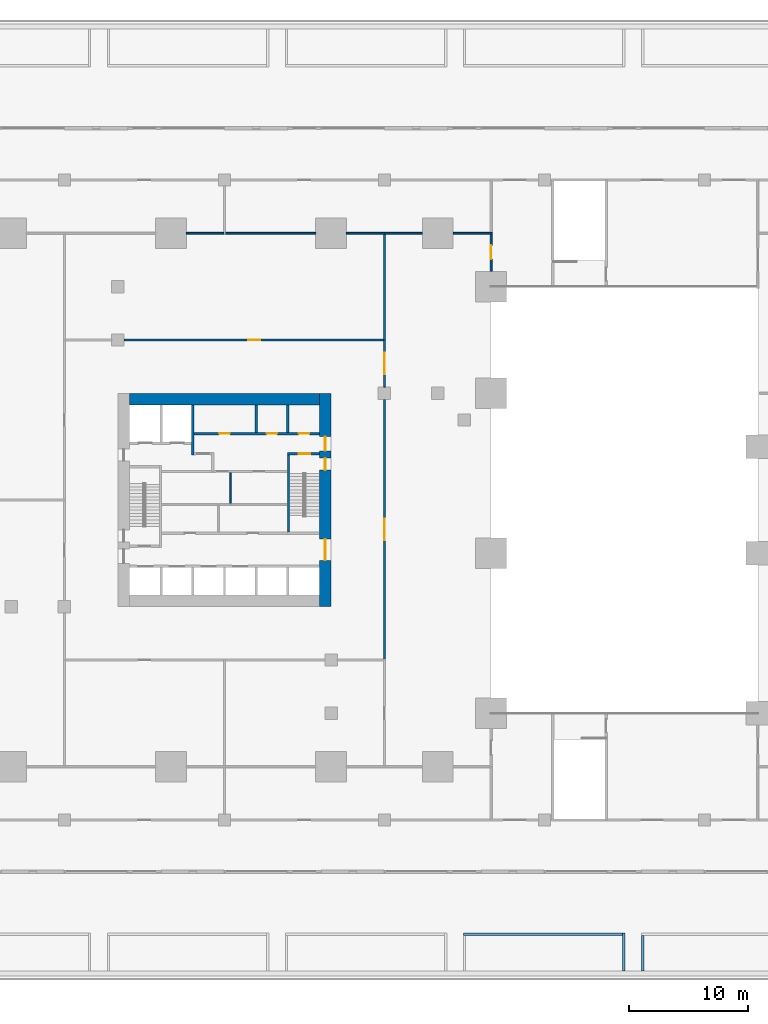
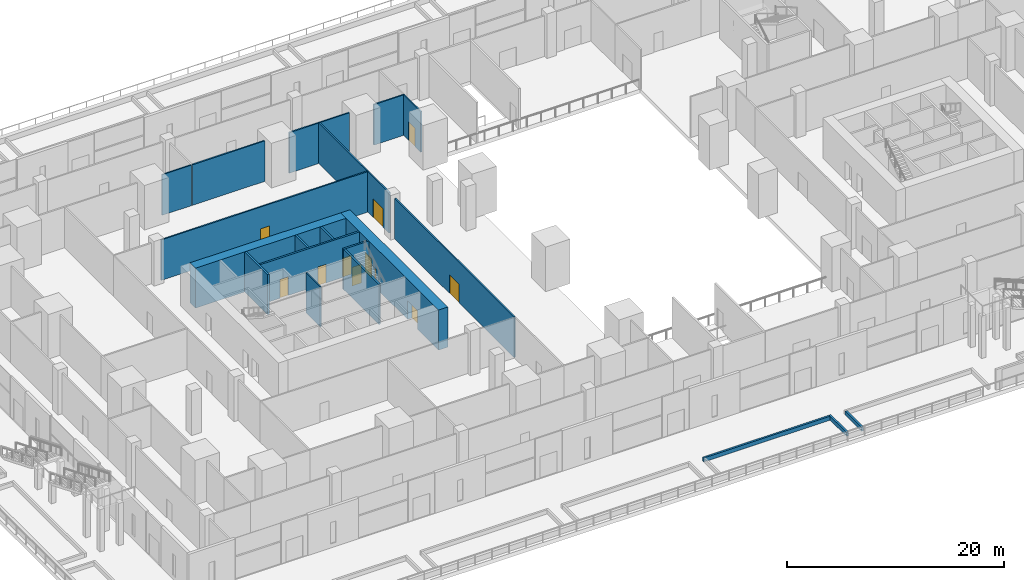
# One storey, part 33 of 49: 22 walls, 11 doors, 11 openings.
"""IFC4 building model written with IfcOpenShell, lengths in metres."""

import ifcopenshell
import ifcopenshell.guid

model = None  # the IFC model being written
_history = None  # IfcOwnerHistory: only IFC2X3 demands one
_inside = {}  # id of a spatial element -> (the spatial element, [elements in it])
_under = {}  # id of a project, library or spatial element -> (it, [spatial elements below it])
_declared = {}  # id of a project -> (the project, [libraries it declares])
_typed = {}  # id of a type object -> (the type object, [elements of that type])
_made_of = {}  # id of a material, layer set ... -> (it, [elements and type objects made of it])


def new_model(schema):
    """Start an empty IFC model of exactly this schema.

    Asked for "IFC4X3", IfcOpenShell would pick the latest addendum, in which some entities
    have other attributes; the version numbers below select the first issue.
    IFC2X3 requires an IfcOwnerHistory on every rooted entity: one is made here for all.
    """
    global model, _history
    if schema == "IFC4X3":
        model = ifcopenshell.file(schema_version=(4, 3, 0, 0))
    else:
        model = ifcopenshell.file(schema=schema)
    _inside.clear()
    _under.clear()
    _declared.clear()
    _typed.clear()
    _made_of.clear()
    _history = None
    if model.schema == "IFC2X3":
        org = make("IfcOrganization", Name="unknown")
        user = make(
            "IfcPersonAndOrganization",
            ThePerson=make("IfcPerson", FamilyName="unknown"),
            TheOrganization=org,
        )
        app = make(
            "IfcApplication",
            ApplicationDeveloper=org,
            Version="unknown",
            ApplicationFullName="unknown",
            ApplicationIdentifier="unknown",
        )
        _history = make(
            "IfcOwnerHistory",
            OwningUser=user,
            OwningApplication=app,
            ChangeAction="ADDED",
            CreationDate=0,
        )
    return model


def make(cls, **values):
    """One entity of the class cls with the attributes given. An attribute that is None is left unset."""
    return model.create_entity(
        cls, **{name: value for name, value in values.items() if value is not None}
    )


def rooted(cls, **values):
    """An entity with a GlobalId (a new one), such as an element, a storey or a relation."""
    return make(cls, GlobalId=ifcopenshell.guid.new(), OwnerHistory=_history, **values)


def si_unit(unit_type, name, prefix=None):
    """IfcSIUnit, for example si_unit("LENGTHUNIT", "METRE", prefix="MILLI")."""
    return make("IfcSIUnit", UnitType=unit_type, Prefix=prefix, Name=name)


def assignment(units):
    """IfcUnitAssignment: the units of a project."""
    return None if units is None else make("IfcUnitAssignment", Units=units)


def point(xyz):
    """IfcCartesianPoint."""
    return None if xyz is None else make("IfcCartesianPoint", Coordinates=xyz)


def direction(xyz):
    """IfcDirection."""
    return None if xyz is None else make("IfcDirection", DirectionRatios=xyz)


def frame(location, z_axis=None, x_axis=None):
    """IfcAxis2Placement3D, a coordinate frame: its origin and axes. An axis left out is left unset."""
    return make(
        "IfcAxis2Placement3D",
        Location=point(location),
        Axis=direction(z_axis),
        RefDirection=direction(x_axis),
    )


def frame_2d(location, x_axis=None):
    """IfcAxis2Placement2D, a coordinate frame in the plane: its origin and x axis."""
    return make(
        "IfcAxis2Placement2D", Location=point(location), RefDirection=direction(x_axis)
    )


def origin():
    """The frame at (0, 0, 0) with its axes left unset."""
    return frame((0.0, 0.0, 0.0))


def place(relative_to, where):
    """IfcLocalPlacement: puts the frame where relative to a parent placement (None: the world)."""
    return make(
        "IfcLocalPlacement", PlacementRelTo=relative_to, RelativePlacement=where
    )


def context(
    kind, dimensions, precision=None, world=None, true_north=None, identifier=None
):
    """IfcGeometricRepresentationContext, for example the 3D "Model" context."""
    return make(
        "IfcGeometricRepresentationContext",
        ContextIdentifier=identifier,
        ContextType=kind,
        CoordinateSpaceDimension=dimensions,
        Precision=precision,
        WorldCoordinateSystem=world,
        TrueNorth=true_north,
    )


def subcontext(parent, identifier, kind, view, scale=None):
    """IfcGeometricRepresentationSubContext, for example "Body" below "Model"."""
    return make(
        "IfcGeometricRepresentationSubContext",
        ContextIdentifier=identifier,
        ContextType=kind,
        ParentContext=parent,
        TargetScale=scale,
        TargetView=view,
    )


def project(units=None, contexts=None):
    """IfcProject with its units and contexts."""
    return rooted(
        "IfcProject",
        Name="project",
        RepresentationContexts=contexts,
        UnitsInContext=assignment(units),
    )


def spatial(cls, under=None, at=None, **own):
    """A site, building, storey or space (cls), placed at a placement, below another one or the project."""
    s = rooted(cls, ObjectPlacement=at, **own)
    if under is not None:
        _under.setdefault(under.id(), (under, []))[1].append(s)
    return s


def profile(cls, at=None, kind="AREA", **sizes):
    """A parametric profile (cls). Its sizes go by their IFC names, for example OverallWidth=200.0."""
    return make(cls, ProfileType=kind, Position=at, **sizes)


def rectangle(**sizes):
    """IfcRectangleProfileDef."""
    return profile("IfcRectangleProfileDef", **sizes)


def extrude(swept, where, along, depth):
    """IfcExtrudedAreaSolid: the profile swept, set in the frame where, extruded along a direction by depth."""
    return make(
        "IfcExtrudedAreaSolid",
        SweptArea=swept,
        Position=where,
        ExtrudedDirection=direction(along),
        Depth=depth,
    )


def shape(context_of_items, identifier, shape_type, items):
    """IfcShapeRepresentation: the items that make up one representation, for example the "Body"."""
    return make(
        "IfcShapeRepresentation",
        ContextOfItems=context_of_items,
        RepresentationIdentifier=identifier,
        RepresentationType=shape_type,
        Items=items,
    )


def material(Name=None, Category=None):
    """IfcMaterial."""
    return make("IfcMaterial", Name=Name, Category=Category)


def layer(
    of_material, thickness, ventilated=None, Name=None, Category=None, Priority=None
):
    """IfcMaterialLayer: one layer of a wall or slab, of a material (None: an air gap)."""
    return make(
        "IfcMaterialLayer",
        Material=of_material,
        LayerThickness=thickness,
        IsVentilated=ventilated,
        Name=Name,
        Category=Category,
        Priority=Priority,
    )


def layer_set(layers, Name=None):
    """IfcMaterialLayerSet."""
    return make("IfcMaterialLayerSet", MaterialLayers=layers, LayerSetName=Name)


def made_of(thing, what):
    """Note that an element or type object is made of a material, layer set ...; save() writes the relation."""
    if what is not None:
        _made_of.setdefault(what.id(), (what, []))[1].append(thing)
    return thing


def type_object(cls, material=None, **own):
    """A type object (cls), such as IfcWallType, which elements share."""
    return made_of(rooted(cls, **own), material)


def element(
    cls,
    number,
    at=None,
    inside=None,
    cuts=None,
    type_object=None,
    material=None,
    context=None,
    identifier="Body",
    shape_type=None,
    held_by="IfcProductDefinitionShape",
    body=None,
    shapes=None,
    **own,
):
    """One element of the class cls, such as IfcWall. Its Tag is "e" and its number.

    at: its placement. inside: the storey or other place that contains it. cuts: it is an
    opening in that element (IfcRelVoidsElement). A single representation is given by context,
    identifier, shape_type and body (its items); several are given by shapes. held_by: the class
    of the entity that holds the representations. save() writes the other relations.
    """
    e = rooted(cls, Tag="e%d" % number, ObjectPlacement=at, **own)
    if body is not None:
        shapes = [shape(context, identifier, shape_type, body)]
    if shapes is not None:
        e.Representation = make(held_by, Representations=shapes)
    if inside is not None:
        _inside.setdefault(inside.id(), (inside, []))[1].append(e)
    if cuts is not None:
        rooted(
            "IfcRelVoidsElement", RelatingBuildingElement=cuts, RelatedOpeningElement=e
        )
    if type_object is not None:
        _typed.setdefault(type_object.id(), (type_object, []))[1].append(e)
    return made_of(e, material)


def fill(opening, filler):
    """IfcRelFillsElement: the door or window that sits in an opening."""
    return rooted(
        "IfcRelFillsElement",
        RelatingOpeningElement=opening,
        RelatedBuildingElement=filler,
    )


def aggregate(whole, parts):
    """IfcRelAggregates: a whole, such as a stair, and the parts it consists of."""
    return rooted("IfcRelAggregates", RelatingObject=whole, RelatedObjects=parts)


def save(model, path):
    """Write the relations noted so far, then the file.

    IfcRelAggregates (storeys below a building ...), IfcRelContainedInSpatialStructure (elements
    in a storey), IfcRelDefinesByType, IfcRelAssociatesMaterial and IfcRelDeclares: one each for
    every whole, place, type object, material and project.
    """
    for whole, parts in _under.values():
        aggregate(whole, parts)
    for where, things in _inside.values():
        rooted(
            "IfcRelContainedInSpatialStructure",
            RelatedElements=things,
            RelatingStructure=where,
        )
    for kind, things in _typed.values():
        rooted("IfcRelDefinesByType", RelatedObjects=things, RelatingType=kind)
    for what, things in _made_of.values():
        rooted("IfcRelAssociatesMaterial", RelatedObjects=things, RelatingMaterial=what)
    for by, libraries in _declared.values():
        rooted("IfcRelDeclares", RelatingContext=by, RelatedDefinitions=libraries)
    model.write(path)


model = new_model("IFC4")

# Units and contexts
model_context = context("Model", 3, precision=1e-05, world=origin(), true_north=direction((0.0, 1.0)))
body_context = subcontext(model_context, "Body", "Model", "MODEL_VIEW")
ifc_project = project(units=[si_unit("LENGTHUNIT", "METRE"), si_unit("AREAUNIT", "SQUARE_METRE"), si_unit("VOLUMEUNIT", "CUBIC_METRE"), si_unit("PLANEANGLEUNIT", "RADIAN"), si_unit("MASSUNIT", "GRAM", prefix="KILO")], contexts=[model_context])

# Site, building, storey
site_placement = place(None, origin())
site = spatial("IfcSite", under=ifc_project, at=site_placement, CompositionType="ELEMENT")
building_placement = place(site_placement, origin())
building = spatial("IfcBuilding", under=site, at=building_placement, Name="Altepetl Exchange Towers", CompositionType="ELEMENT")
storey_placement = place(building_placement, frame((0.0, 0.0, 11.5)))
storey = spatial("IfcBuildingStorey", under=building, at=storey_placement, Name="L02 Exchange podium", CompositionType="ELEMENT", Elevation=11.5)

# Wall, openings, doors
ifc_material_1 = material(Name="Concrete C70/85", Category="concrete")
ifc_layer_1 = layer(ifc_material_1, 1.0)
ifc_layer_set_1 = layer_set([ifc_layer_1], Name="Concrete C70/85")
wall_type_1 = type_object("IfcWallType", Name="Core wall 1000 reinforced concrete", PredefinedType="SHEAR", material=ifc_layer_set_1)
wall_1_placement = place(storey_placement, frame((58.0, 40.5, 0.0), z_axis=(0.0, 0.0, 1.0), x_axis=(0.0, 1.0, 0.0)))
wall_1 = element("IfcWall", 1, at=wall_1_placement, inside=storey, type_object=wall_type_1, Name="wall:A:L02:K-coreE", PredefinedType="SHEAR", context=body_context, shape_type="SweptSolid", body=[
    extrude(rectangle(XDim=18.0, YDim=1.0, at=frame_2d((9.0, 0.0))), origin(), (0.0, 0.0, 1.0), 4.5),
])
opening_1_placement = place(wall_1_placement, frame((13.14990234375, 0.0, 0.0)))
opening_1 = element("IfcOpeningElement", 2, at=opening_1_placement, cuts=wall_1, Name="Opening L02.A60", PredefinedType="OPENING", context=body_context, shape_type="SweptSolid", body=[
    extrude(rectangle(XDim=1.199951171875, YDim=2.10009765625, at=frame_2d((0.60009765625, 1.050048828125))), frame((0.0, 0.510009765625, 0.0), z_axis=(0.0, -1.0, 0.0), x_axis=(1.0, 0.0, 0.0)), (0.0, 0.0, 1.0), 1.02001953125),
])
opening_2_placement = place(wall_1_placement, frame((3.89990234375, 0.0, 0.0)))
opening_2 = element("IfcOpeningElement", 3, at=opening_2_placement, cuts=wall_1, Name="Opening L02.A61", PredefinedType="OPENING", context=body_context, shape_type="SweptSolid", body=[
    extrude(rectangle(XDim=1.800048828125, YDim=2.10009765625, at=frame_2d((0.89990234375, 1.050048828125))), frame((0.0, 0.510009765625, 0.0), z_axis=(0.0, -1.0, 0.0), x_axis=(1.0, 0.0, 0.0)), (0.0, 0.0, 1.0), 1.02001953125),
])
opening_3_placement = place(wall_1_placement, frame((11.52490234375, 0.0, 0.0)))
opening_3 = element("IfcOpeningElement", 4, at=opening_3_placement, cuts=wall_1, Name="Opening L02.A66", PredefinedType="OPENING", context=body_context, shape_type="SweptSolid", body=[
    extrude(rectangle(XDim=1.0, YDim=2.10009765625, at=frame_2d((0.5, 1.050048828125))), frame((0.0, 0.510009765625, 0.0), z_axis=(0.0, -1.0, 0.0), x_axis=(1.0, 0.0, 0.0)), (0.0, 0.0, 1.0), 1.02001953125),
])
ifc_material_2 = material(Name="Steel and timber fire door", Category="steel")
door_type_1 = type_object("IfcDoorType", Name="Fire door 1000 x 2100 stair and lobby", OperationType="SINGLE_SWING_LEFT", PredefinedType="DOOR", material=ifc_material_2)
door_1_placement = place(opening_3_placement, origin())
door_1 = element("IfcDoor", 5, at=door_1_placement, inside=storey, type_object=door_type_1, Name="door:A:L02:K-dS2x", OperationType="SINGLE_SWING_RIGHT", OverallHeight=2.10009765625, OverallWidth=1.0, PredefinedType="DOOR", context=body_context, shape_type="SweptSolid", body=[
    extrude(rectangle(XDim=1.0, YDim=2.10009765625, at=frame_2d((0.5, 1.050048828125))), frame((0.0, 0.02490234375, 0.0), z_axis=(0.0, -1.0, 0.0), x_axis=(1.0, 0.0, 0.0)), (0.0, 0.0, 1.0), 0.050048828125),
])
fill(opening_3, door_1)
door_type_2 = type_object("IfcDoorType", Name="Fire door 1200 x 2100 lobby entry", OperationType="SINGLE_SWING_LEFT", PredefinedType="DOOR", material=ifc_material_2)
door_2_placement = place(opening_1_placement, origin())
door_2 = element("IfcDoor", 6, at=door_2_placement, inside=storey, type_object=door_type_2, Name="door:A:L02:K-dLNE", OperationType="SINGLE_SWING_RIGHT", OverallHeight=2.10009765625, OverallWidth=1.199951171875, PredefinedType="DOOR", context=body_context, shape_type="SweptSolid", body=[
    extrude(rectangle(XDim=1.199951171875, YDim=2.10009765625, at=frame_2d((0.60009765625, 1.050048828125))), frame((0.0, 0.02490234375, 0.0), z_axis=(0.0, -1.0, 0.0), x_axis=(1.0, 0.0, 0.0)), (0.0, 0.0, 1.0), 0.050048828125),
])
fill(opening_1, door_2)
door_type_3 = type_object("IfcDoorType", Name="Fire door 1800 x 2100 lobby entry", OperationType="DOUBLE_DOOR_SINGLE_SWING", PredefinedType="DOOR", material=ifc_material_2)
door_3_placement = place(opening_2_placement, origin())
door_3 = element("IfcDoor", 7, at=door_3_placement, inside=storey, type_object=door_type_3, Name="door:A:L02:K-dLSE", OperationType="DOUBLE_DOOR_SINGLE_SWING", OverallHeight=2.10009765625, OverallWidth=1.800048828125, PredefinedType="DOOR", context=body_context, shape_type="SweptSolid", body=[
    extrude(rectangle(XDim=1.800048828125, YDim=2.10009765625, at=frame_2d((0.89990234375, 1.050048828125))), frame((0.0, 0.02490234375, 0.0), z_axis=(0.0, -1.0, 0.0), x_axis=(1.0, 0.0, 0.0)), (0.0, 0.0, 1.0), 0.050048828125),
])
fill(opening_2, door_3)

# Walls
wall_2_placement = place(storey_placement, frame((41.5, 58.0, 0.0)))
element("IfcWall", 8, at=wall_2_placement, inside=storey, type_object=wall_type_1, Name="wall:A:L02:K-coreN", PredefinedType="SHEAR", context=body_context, shape_type="SweptSolid", body=[
    extrude(rectangle(XDim=16.0, YDim=1.0, at=frame_2d((8.0, 0.0))), origin(), (0.0, 0.0, 1.0), 4.5),
])
ifc_material_3 = material(Name="Gypsum board on steel studs", Category="steel")
ifc_layer_2 = layer(ifc_material_3, 0.125)
ifc_layer_set_2 = layer_set([ifc_layer_2], Name="Gypsum board on steel studs")
wall_type_2 = type_object("IfcWallType", Name="Partition 125 gypsum board on steel studs", PredefinedType="PARTITIONING", material=ifc_layer_set_2)
wall_3_placement = place(storey_placement, frame((50.0, 49.16259765625, 0.0), z_axis=(0.0, 0.0, 1.0), x_axis=(0.0, 1.0, 0.0)))
element("IfcWall", 9, at=wall_3_placement, inside=storey, type_object=wall_type_2, Name="wall:A:L02:K-zp5", PredefinedType="PARTITIONING", context=body_context, shape_type="SweptSolid", body=[
    extrude(rectangle(XDim=2.637451171875, YDim=0.125, at=frame_2d((1.31884765625, 0.0))), origin(), (0.0, 0.0, 1.0), 4.5),
])
ifc_material_4 = material(Name="Reinforced concrete C35/45", Category="concrete")
ifc_layer_3 = layer(ifc_material_4, 0.199951171875)
ifc_layer_set_3 = layer_set([ifc_layer_3], Name="Reinforced concrete C35/45")
wall_type_3 = type_object("IfcWallType", Name="Planting bed curb 200", PredefinedType="SOLIDWALL", material=ifc_layer_set_3)
wall_4_placement = place(storey_placement, frame((83.17919921875, 9.77490234375, 0.0), z_axis=(0.0, 0.0, 1.0), x_axis=(0.0, 1.0, 0.0)))
element("IfcWall", 10, at=wall_4_placement, inside=storey, type_object=wall_type_3, Name="wall:P:L02:CB08e", PredefinedType="SOLIDWALL", context=body_context, shape_type="SweptSolid", body=[
    extrude(rectangle(XDim=3.2001953125, YDim=0.199951171875, at=frame_2d((1.60009765625, 0.0))), origin(), (0.0, 0.0, 1.0), 0.449951171875),
])
wall_5_placement = place(storey_placement, frame((69.658203125, 12.875, 0.0)))
element("IfcWall", 11, at=wall_5_placement, inside=storey, type_object=wall_type_3, Name="wall:P:L02:CB08n", PredefinedType="SOLIDWALL", context=body_context, shape_type="SweptSolid", body=[
    extrude(rectangle(XDim=13.4208984375, YDim=0.199951171875, at=frame_2d((6.71044921875, 0.0))), origin(), (0.0, 0.0, 1.0), 0.449951171875),
])
wall_6_placement = place(storey_placement, frame((84.779296875, 9.77490234375, 0.0), z_axis=(0.0, 0.0, 1.0), x_axis=(0.0, 1.0, 0.0)))
element("IfcWall", 12, at=wall_6_placement, inside=storey, type_object=wall_type_3, Name="wall:P:L02:CB09w", PredefinedType="SOLIDWALL", context=body_context, shape_type="SweptSolid", body=[
    extrude(rectangle(XDim=3.0, YDim=0.199951171875, at=frame_2d((1.5, 0.0))), origin(), (0.0, 0.0, 1.0), 0.449951171875),
])
ifc_layer_4 = layer(ifc_material_3, 0.14990234375)
ifc_layer_set_4 = layer_set([ifc_layer_4], Name="Gypsum board on steel studs")
wall_type_4 = type_object("IfcWallType", Name="Podium partition 150", PredefinedType="PARTITIONING", material=ifc_layer_set_4)
wall_7_placement = place(storey_placement, frame((46.294921875, 72.0, 0.0)))
element("IfcWall", 13, at=wall_7_placement, inside=storey, type_object=wall_type_4, Name="wall:P:L02:P072", PredefinedType="PARTITIONING", context=body_context, shape_type="SweptSolid", body=[
    extrude(rectangle(XDim=3.130126953125, YDim=0.14990234375, at=frame_2d((1.56494140625, 0.0))), origin(), (0.0, 0.0, 1.0), 4.550048828125),
])
for number, where, name in (
    (14, (62.925048828125, 72.0, 0.0), "wall:P:L02:P075"),
    (15, (68.794921875, 72.0, 0.0), "wall:P:L02:P076"),
):
    element("IfcWall", number, at=place(storey_placement, frame(where)), inside=storey, type_object=wall_type_4, Name=name, PredefinedType="PARTITIONING", context=body_context, shape_type="SweptSolid", body=[
        extrude(rectangle(XDim=3.280029296875, YDim=0.14990234375, at=frame_2d((1.64013671875, 0.0))), origin(), (0.0, 0.0, 1.0), 4.550048828125),
    ])
wall_8_placement = place(storey_placement, frame((49.5, 72.0, 0.0)))
element("IfcWall", 16, at=wall_8_placement, inside=storey, type_object=wall_type_4, Name="wall:P:L02:P077", PredefinedType="PARTITIONING", context=body_context, shape_type="SweptSolid", body=[
    extrude(rectangle(XDim=7.705078125, YDim=0.14990234375, at=frame_2d((3.8525390625, 0.0))), origin(), (0.0, 0.0, 1.0), 4.550048828125),
])
wall_9_placement = place(storey_placement, frame((59.794921875, 72.0, 0.0)))
element("IfcWall", 17, at=wall_9_placement, inside=storey, type_object=wall_type_4, Name="wall:P:L02:P078", PredefinedType="PARTITIONING", context=body_context, shape_type="SweptSolid", body=[
    extrude(rectangle(XDim=3.205078125, YDim=0.14990234375, at=frame_2d((1.6025390625, 0.0))), origin(), (0.0, 0.0, 1.0), 4.550048828125),
])
wall_10_placement = place(storey_placement, frame((63.0, 62.925048828125, 0.0), z_axis=(0.0, 0.0, 1.0), x_axis=(0.0, 1.0, 0.0)))
element("IfcWall", 18, at=wall_10_placement, inside=storey, type_object=wall_type_4, Name="wall:P:L02:P081", PredefinedType="PARTITIONING", context=body_context, shape_type="SweptSolid", body=[
    extrude(rectangle(XDim=9.0, YDim=0.14990234375, at=frame_2d((4.5, 0.0))), origin(), (0.0, 0.0, 1.0), 4.550048828125),
])

# Wall, opening, door
wall_11_placement = place(storey_placement, frame((63.0, 36.0, 0.0), z_axis=(0.0, 0.0, 1.0), x_axis=(0.0, 1.0, 0.0)))
wall_11 = element("IfcWall", 19, at=wall_11_placement, inside=storey, type_object=wall_type_4, Name="wall:P:L02:P082", PredefinedType="PARTITIONING", context=body_context, shape_type="SweptSolid", body=[
    extrude(rectangle(XDim=21.97998046875, YDim=0.14990234375, at=frame_2d((10.989990234375, 0.0))), origin(), (0.0, 0.0, 1.0), 4.550048828125),
])
opening_4_placement = place(wall_11_placement, frame((10.10009765625, 0.0, 0.0)))
opening_4 = element("IfcOpeningElement", 20, at=opening_4_placement, cuts=wall_11, Name="Opening L02.P040", PredefinedType="OPENING", context=body_context, shape_type="SweptSolid", body=[
    extrude(rectangle(XDim=1.800048828125, YDim=2.10009765625, at=frame_2d((0.89990234375, 1.050048828125))), frame((0.0, 0.0849609375, 0.0), z_axis=(0.0, -1.0, 0.0), x_axis=(1.0, 0.0, 0.0)), (0.0, 0.0, 1.0), 0.169921875),
])
ifc_material_5 = material(Name="Glazed aluminium and steel", Category="steel")
door_type_4 = type_object("IfcDoorType", Name="Podium fire door 1800 x 2100 double leaf", OperationType="DOUBLE_DOOR_SINGLE_SWING", PredefinedType="DOOR", material=ifc_material_5)
door_4_placement = place(opening_4_placement, frame((1.800048828125, 0.0, 0.0), x_axis=(-1.0, 0.0, 0.0)))
door_4 = element("IfcDoor", 21, at=door_4_placement, inside=storey, type_object=door_type_4, Name="door:P:L02:040", OperationType="DOUBLE_DOOR_SINGLE_SWING", OverallHeight=2.10009765625, OverallWidth=1.800048828125, PredefinedType="DOOR", context=body_context, shape_type="SweptSolid", body=[
    extrude(rectangle(XDim=1.800048828125, YDim=2.10009765625, at=frame_2d((0.89990234375, 1.050048828125))), frame((0.0, 0.02490234375, 0.0), z_axis=(0.0, -1.0, 0.0), x_axis=(1.0, 0.0, 0.0)), (0.0, 0.0, 1.0), 0.050048828125),
])
fill(opening_4, door_4)

wall_12_placement = place(storey_placement, frame((63.0, 59.02001953125, 0.0), z_axis=(0.0, 0.0, 1.0), x_axis=(0.0, 1.0, 0.0)))
wall_12 = element("IfcWall", 22, at=wall_12_placement, inside=storey, type_object=wall_type_4, Name="wall:P:L02:P083", PredefinedType="PARTITIONING", context=body_context, shape_type="SweptSolid", body=[
    extrude(rectangle(XDim=3.97998046875, YDim=0.14990234375, at=frame_2d((1.989990234375, 0.0))), origin(), (0.0, 0.0, 1.0), 4.550048828125),
])
opening_5_placement = place(wall_12_placement, frame((1.10009765625, 0.0, 0.0)))
opening_5 = element("IfcOpeningElement", 23, at=opening_5_placement, cuts=wall_12, Name="Opening L02.P041", PredefinedType="OPENING", context=body_context, shape_type="SweptSolid", body=[
    extrude(rectangle(XDim=1.800048828125, YDim=2.10009765625, at=frame_2d((0.89990234375, 1.050048828125))), frame((0.0, 0.0849609375, 0.0), z_axis=(0.0, -1.0, 0.0), x_axis=(1.0, 0.0, 0.0)), (0.0, 0.0, 1.0), 0.169921875),
])
door_5_placement = place(opening_5_placement, frame((1.800048828125, 0.0, 0.0), x_axis=(-1.0, 0.0, 0.0)))
door_5 = element("IfcDoor", 24, at=door_5_placement, inside=storey, type_object=door_type_4, Name="door:P:L02:041", OperationType="DOUBLE_DOOR_SINGLE_SWING", OverallHeight=2.10009765625, OverallWidth=1.800048828125, PredefinedType="DOOR", context=body_context, shape_type="SweptSolid", body=[
    extrude(rectangle(XDim=1.800048828125, YDim=2.10009765625, at=frame_2d((0.89990234375, 1.050048828125))), frame((0.0, 0.02490234375, 0.0), z_axis=(0.0, -1.0, 0.0), x_axis=(1.0, 0.0, 0.0)), (0.0, 0.0, 1.0), 0.050048828125),
])
fill(opening_5, door_5)

wall_13_placement = place(storey_placement, frame((72.0, 68.794921875, 0.0), z_axis=(0.0, 0.0, 1.0), x_axis=(0.0, 1.0, 0.0)))
wall_13 = element("IfcWall", 25, at=wall_13_placement, inside=storey, type_object=wall_type_4, Name="wall:P:L02:P085", PredefinedType="PARTITIONING", context=body_context, shape_type="SweptSolid", body=[
    extrude(rectangle(XDim=3.130126953125, YDim=0.14990234375, at=frame_2d((1.56494140625, 0.0))), origin(), (0.0, 0.0, 1.0), 4.550048828125),
])
opening_6_placement = place(wall_13_placement, frame((1.0, 0.0, 0.0)))
opening_6 = element("IfcOpeningElement", 26, at=opening_6_placement, cuts=wall_13, Name="Opening L02.P043", PredefinedType="OPENING", context=body_context, shape_type="SweptSolid", body=[
    extrude(rectangle(XDim=1.199951171875, YDim=2.10009765625, at=frame_2d((0.60009765625, 1.050048828125))), frame((0.0, 0.0849609375, 0.0), z_axis=(0.0, -1.0, 0.0), x_axis=(1.0, 0.0, 0.0)), (0.0, 0.0, 1.0), 0.169921875),
])
ifc_material_6 = material(Name="Steel fire door", Category="steel")
door_type_5 = type_object("IfcDoorType", Name="Podium fire door 1200 x 2100 double leaf", OperationType="DOUBLE_DOOR_SINGLE_SWING", PredefinedType="DOOR", material=ifc_material_6)
door_6_placement = place(opening_6_placement, frame((1.199951171875, 0.0, 0.0), x_axis=(-1.0, 0.0, 0.0)))
door_6 = element("IfcDoor", 27, at=door_6_placement, inside=storey, type_object=door_type_5, Name="door:P:L02:043", OperationType="DOUBLE_DOOR_SINGLE_SWING", OverallHeight=2.10009765625, OverallWidth=1.199951171875, PredefinedType="DOOR", context=body_context, shape_type="SweptSolid", body=[
    extrude(rectangle(XDim=1.199951171875, YDim=2.10009765625, at=frame_2d((0.60009765625, 1.050048828125))), frame((0.0, 0.02490234375, 0.0), z_axis=(0.0, -1.0, 0.0), x_axis=(1.0, 0.0, 0.0)), (0.0, 0.0, 1.0), 0.050048828125),
])
fill(opening_6, door_6)

wall_14_placement = place(storey_placement, frame((41.02001953125, 63.0, 0.0)))
wall_14 = element("IfcWall", 28, at=wall_14_placement, inside=storey, type_object=wall_type_4, Name="wall:P:L02:P093", PredefinedType="PARTITIONING", context=body_context, shape_type="SweptSolid", body=[
    extrude(rectangle(XDim=21.905029296875, YDim=0.14990234375, at=frame_2d((10.95263671875, 0.0))), origin(), (0.0, 0.0, 1.0), 4.550048828125),
])
opening_7_placement = place(wall_14_placement, frame((10.5, 0.0, 0.0)))
opening_7 = element("IfcOpeningElement", 29, at=opening_7_placement, cuts=wall_14, Name="Opening L02.P010", PredefinedType="OPENING", context=body_context, shape_type="SweptSolid", body=[
    extrude(rectangle(XDim=1.0, YDim=2.10009765625, at=frame_2d((0.5, 1.050048828125))), frame((0.0, 0.0849609375, 0.0), z_axis=(0.0, -1.0, 0.0), x_axis=(1.0, 0.0, 0.0)), (0.0, 0.0, 1.0), 0.169921875),
])
door_type_6 = type_object("IfcDoorType", Name="Podium fire door 1000 x 2100 single leaf", OperationType="SINGLE_SWING_LEFT", PredefinedType="DOOR", material=ifc_material_2)
door_7_placement = place(opening_7_placement, origin())
door_7 = element("IfcDoor", 30, at=door_7_placement, inside=storey, type_object=door_type_6, Name="door:P:L02:010", OperationType="SINGLE_SWING_RIGHT", OverallHeight=2.10009765625, OverallWidth=1.0, PredefinedType="DOOR", context=body_context, shape_type="SweptSolid", body=[
    extrude(rectangle(XDim=1.0, YDim=2.10009765625, at=frame_2d((0.5, 1.050048828125))), frame((0.0, 0.02490234375, 0.0), z_axis=(0.0, -1.0, 0.0), x_axis=(1.0, 0.0, 0.0)), (0.0, 0.0, 1.0), 0.050048828125),
])
fill(opening_7, door_7)

# Walls
ifc_material_7 = material(Name="Concrete C40/50", Category="concrete")
ifc_layer_5 = layer(ifc_material_7, 0.199951171875)
ifc_layer_set_5 = layer_set([ifc_layer_5], Name="Concrete C40/50")
wall_type_5 = type_object("IfcWallType", Name="Shaft wall 200 reinforced concrete", PredefinedType="SHEAR", material=ifc_layer_set_5)
wall_15_placement = place(storey_placement, frame((46.833251953125, 57.5, 0.0), z_axis=(0.0, 0.0, 1.0), x_axis=(0.0, -1.0, 0.0)))
element("IfcWall", 31, at=wall_15_placement, inside=storey, type_object=wall_type_5, Name="wall:A:L02:K-divN2", PredefinedType="SHEAR", context=body_context, shape_type="SweptSolid", body=[
    extrude(rectangle(XDim=4.199951171875, YDim=0.199951171875, at=frame_2d((2.10009765625, 0.0))), origin(), (0.0, 0.0, 1.0), 4.5),
])
for number, where, z_axis, x_axis, name in (
    (32, (52.166748046875, 57.5, 0.0), (0.0, 0.0, 1.0), (0.0, -1.0, 0.0), "wall:A:L02:K-divN4"),
    (33, (54.833251953125, 57.5, 0.0), (0.0, 0.0, 1.0), (0.0, -1.0, 0.0), "wall:A:L02:K-divN5"),
):
    element("IfcWall", number, at=place(storey_placement, frame(where, z_axis=z_axis, x_axis=x_axis)), inside=storey, type_object=wall_type_5, Name=name, PredefinedType="SHEAR", context=body_context, shape_type="SweptSolid", body=[
        extrude(rectangle(XDim=2.300048828125, YDim=0.199951171875, at=frame_2d((1.14990234375, 0.0))), origin(), (0.0, 0.0, 1.0), 4.5),
    ])

# Wall, openings, doors
wall_16_placement = place(storey_placement, frame((46.933349609375, 55.10009765625, 0.0)))
wall_16 = element("IfcWall", 34, at=wall_16_placement, inside=storey, type_object=wall_type_5, Name="wall:A:L02:K-frontNb", PredefinedType="SHEAR", context=body_context, shape_type="SweptSolid", body=[
    extrude(rectangle(XDim=10.566650390625, YDim=0.199951171875, at=frame_2d((5.283203125, 0.0))), origin(), (0.0, 0.0, 1.0), 4.5),
])
opening_8_placement = place(wall_16_placement, frame((8.83349609375, 0.0, 0.0)))
opening_8 = element("IfcOpeningElement", 35, at=opening_8_placement, cuts=wall_16, Name="Opening L02.A69", PredefinedType="OPENING", context=body_context, shape_type="SweptSolid", body=[
    extrude(rectangle(XDim=0.89990234375, YDim=2.10009765625, at=frame_2d((0.449951171875, 1.050048828125))), frame((0.0, 0.10986328125, 0.0), z_axis=(0.0, -1.0, 0.0), x_axis=(1.0, 0.0, 0.0)), (0.0, 0.0, 1.0), 0.219970703125),
])
opening_9_placement = place(wall_16_placement, frame((2.11669921875, 0.0, 0.0)))
opening_9 = element("IfcOpeningElement", 36, at=opening_9_placement, cuts=wall_16, Name="Opening L02.A70", PredefinedType="OPENING", context=body_context, shape_type="SweptSolid", body=[
    extrude(rectangle(XDim=0.89990234375, YDim=2.10009765625, at=frame_2d((0.449951171875, 1.050048828125))), frame((0.0, 0.10986328125, 0.0), z_axis=(0.0, -1.0, 0.0), x_axis=(1.0, 0.0, 0.0)), (0.0, 0.0, 1.0), 0.219970703125),
])
opening_10_placement = place(wall_16_placement, frame((6.11669921875, 0.0, 0.0)))
opening_10 = element("IfcOpeningElement", 37, at=opening_10_placement, cuts=wall_16, Name="Opening L02.A71", PredefinedType="OPENING", context=body_context, shape_type="SweptSolid", body=[
    extrude(rectangle(XDim=0.89990234375, YDim=2.10009765625, at=frame_2d((0.449951171875, 1.050048828125))), frame((0.0, 0.10986328125, 0.0), z_axis=(0.0, -1.0, 0.0), x_axis=(1.0, 0.0, 0.0)), (0.0, 0.0, 1.0), 0.219970703125),
])
door_type_7 = type_object("IfcDoorType", Name="Fire door 900 x 2100 service room", OperationType="SINGLE_SWING_LEFT", PredefinedType="DOOR", material=ifc_material_2)
door_8_placement = place(opening_8_placement, origin())
door_8 = element("IfcDoor", 38, at=door_8_placement, inside=storey, type_object=door_type_7, Name="door:A:L02:K-driser", OperationType="SINGLE_SWING_RIGHT", OverallHeight=2.10009765625, OverallWidth=0.89990234375, PredefinedType="DOOR", context=body_context, shape_type="SweptSolid", body=[
    extrude(rectangle(XDim=0.89990234375, YDim=2.10009765625, at=frame_2d((0.449951171875, 1.050048828125))), frame((0.0, 0.02490234375, 0.0), z_axis=(0.0, -1.0, 0.0), x_axis=(1.0, 0.0, 0.0)), (0.0, 0.0, 1.0), 0.050048828125),
])
fill(opening_8, door_8)
door_9_placement = place(opening_9_placement, origin())
door_9 = element("IfcDoor", 39, at=door_9_placement, inside=storey, type_object=door_type_7, Name="door:A:L02:K-dslotN2", OperationType="SINGLE_SWING_RIGHT", OverallHeight=2.10009765625, OverallWidth=0.89990234375, PredefinedType="DOOR", context=body_context, shape_type="SweptSolid", body=[
    extrude(rectangle(XDim=0.89990234375, YDim=2.10009765625, at=frame_2d((0.449951171875, 1.050048828125))), frame((0.0, 0.02490234375, 0.0), z_axis=(0.0, -1.0, 0.0), x_axis=(1.0, 0.0, 0.0)), (0.0, 0.0, 1.0), 0.050048828125),
])
fill(opening_9, door_9)
door_10_placement = place(opening_10_placement, origin())
door_10 = element("IfcDoor", 40, at=door_10_placement, inside=storey, type_object=door_type_7, Name="door:A:L02:K-dslotN4", OperationType="SINGLE_SWING_RIGHT", OverallHeight=2.10009765625, OverallWidth=0.89990234375, PredefinedType="DOOR", context=body_context, shape_type="SweptSolid", body=[
    extrude(rectangle(XDim=0.89990234375, YDim=2.10009765625, at=frame_2d((0.449951171875, 1.050048828125))), frame((0.0, 0.02490234375, 0.0), z_axis=(0.0, -1.0, 0.0), x_axis=(1.0, 0.0, 0.0)), (0.0, 0.0, 1.0), 0.050048828125),
])
fill(opening_10, door_10)

# Wall, opening, door
ifc_layer_6 = layer(ifc_material_7, 0.199951171875)
ifc_layer_set_6 = layer_set([ifc_layer_6], Name="Concrete C40/50")
wall_type_6 = type_object("IfcWallType", Name="Stair wall 200 reinforced concrete", PredefinedType="SHEAR", material=ifc_layer_set_6)
wall_17_placement = place(storey_placement, frame((54.800048828125, 53.39990234375, 0.0)))
wall_17 = element("IfcWall", 41, at=wall_17_placement, inside=storey, type_object=wall_type_6, Name="wall:A:L02:K-stS2N", PredefinedType="SHEAR", context=body_context, shape_type="SweptSolid", body=[
    extrude(rectangle(XDim=2.699951171875, YDim=0.199951171875, at=frame_2d((1.35009765625, 0.0))), origin(), (0.0, 0.0, 1.0), 4.5),
])
opening_11_placement = place(wall_17_placement, frame((0.949951171875, 0.0, 0.0)))
opening_11 = element("IfcOpeningElement", 42, at=opening_11_placement, cuts=wall_17, Name="Opening L02.A65", PredefinedType="OPENING", context=body_context, shape_type="SweptSolid", body=[
    extrude(rectangle(XDim=1.0, YDim=2.10009765625, at=frame_2d((0.5, 1.050048828125))), frame((0.0, 0.10986328125, 0.0), z_axis=(0.0, -1.0, 0.0), x_axis=(1.0, 0.0, 0.0)), (0.0, 0.0, 1.0), 0.219970703125),
])
door_11_placement = place(opening_11_placement, frame((1.0, 0.0, 0.0), x_axis=(-1.0, 0.0, 0.0)))
door_11 = element("IfcDoor", 43, at=door_11_placement, inside=storey, type_object=door_type_1, Name="door:A:L02:K-dS2in", OperationType="SINGLE_SWING_LEFT", OverallHeight=2.10009765625, OverallWidth=1.0, PredefinedType="DOOR", context=body_context, shape_type="SweptSolid", body=[
    extrude(rectangle(XDim=1.0, YDim=2.10009765625, at=frame_2d((0.5, 1.050048828125))), frame((0.0, 0.02490234375, 0.0), z_axis=(0.0, -1.0, 0.0), x_axis=(1.0, 0.0, 0.0)), (0.0, 0.0, 1.0), 0.050048828125),
])
fill(opening_11, door_11)

# Wall
wall_18_placement = place(storey_placement, frame((54.89990234375, 46.800048828125, 0.0), z_axis=(0.0, 0.0, 1.0), x_axis=(0.0, 1.0, 0.0)))
element("IfcWall", 44, at=wall_18_placement, inside=storey, type_object=wall_type_6, Name="wall:A:L02:K-stS2W", PredefinedType="SHEAR", context=body_context, shape_type="SweptSolid", body=[
    extrude(rectangle(XDim=6.5, YDim=0.199951171875, at=frame_2d((3.25, 0.0))), origin(), (0.0, 0.0, 1.0), 4.5),
])

save(model, "model.ifc")
